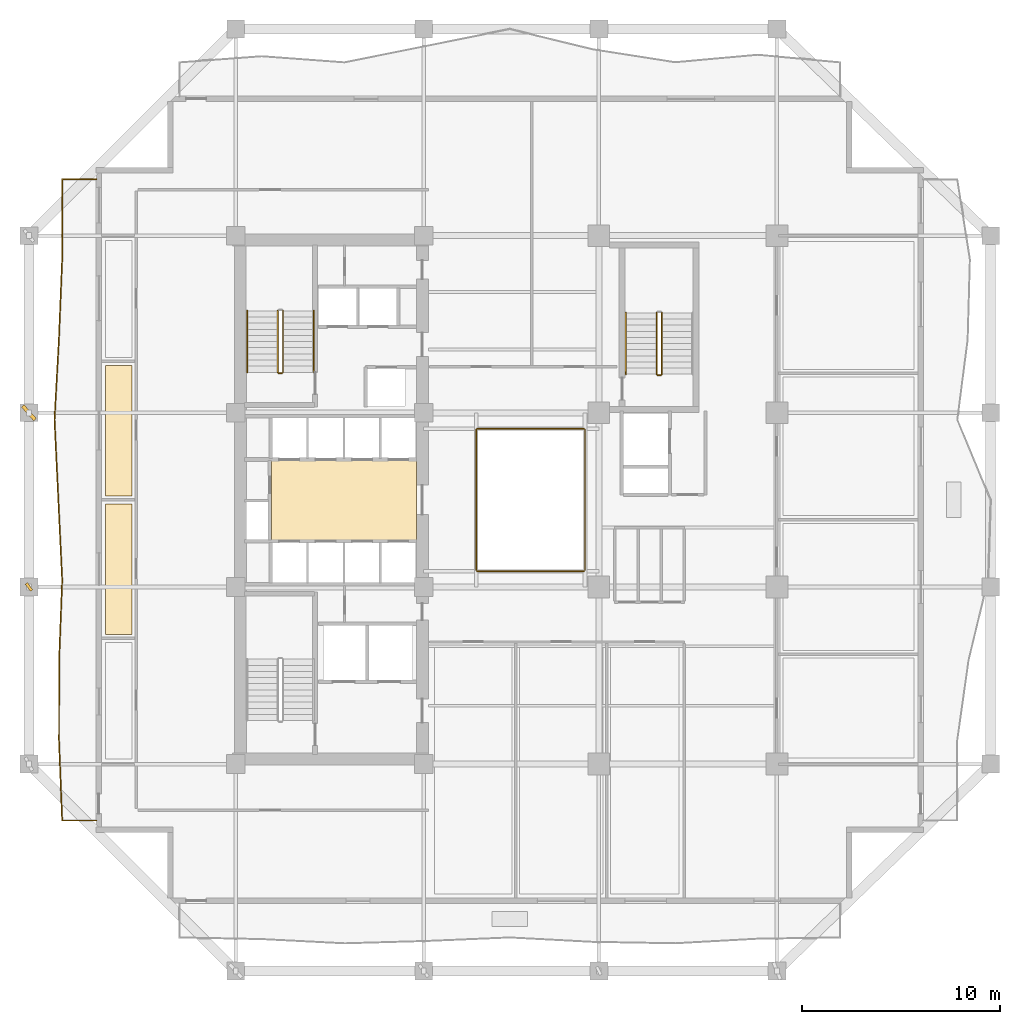
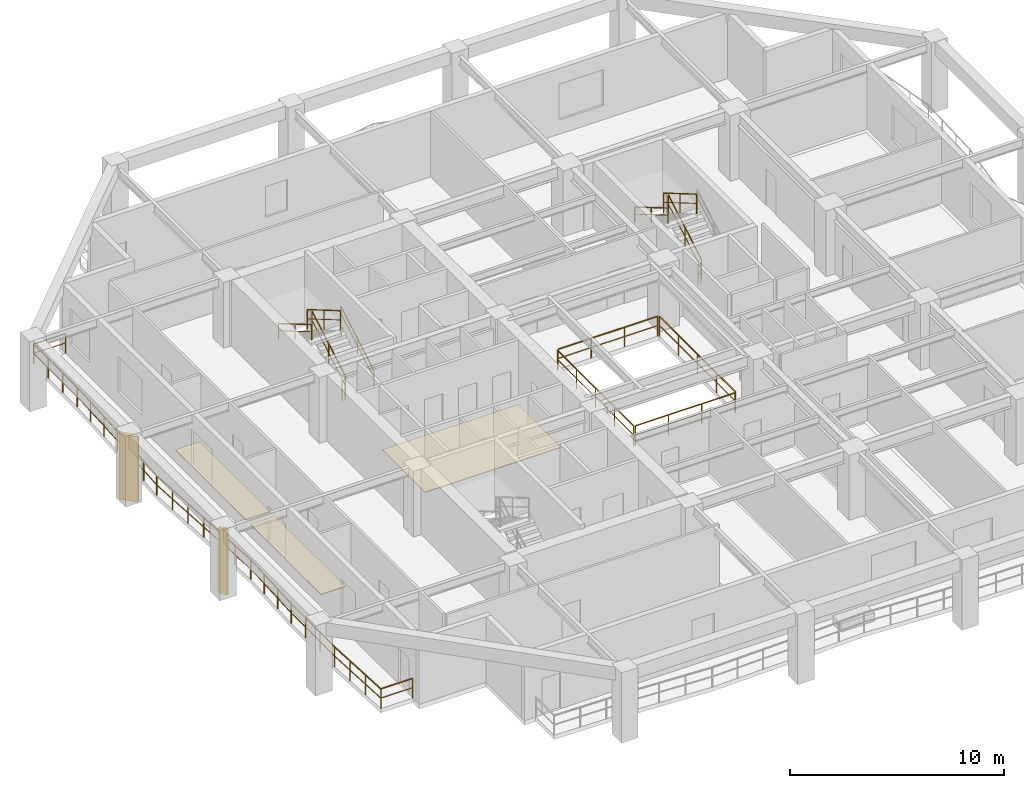
# One storey, part 8 of 11: 14 railings, 3 coverings, 2 shading devices.
"""IFC4 building model written with IfcOpenShell, lengths in metres."""

from ifc_helpers import new_model, si_unit, direction, frame, origin, origin_2d, place, context, subcontext, project, spatial, polyline, rectangle, outline, extrude, material, layer, layer_set, type_object, element, save


model = new_model("IFC4")

# Units and contexts
model_context = context("Model", 3, precision=1e-05, world=origin(), true_north=direction((0.0, 1.0)))
body_context = subcontext(model_context, "Body", "Model", "MODEL_VIEW")
ifc_project = project(units=[si_unit("LENGTHUNIT", "METRE"), si_unit("AREAUNIT", "SQUARE_METRE"), si_unit("VOLUMEUNIT", "CUBIC_METRE"), si_unit("PLANEANGLEUNIT", "RADIAN"), si_unit("MASSUNIT", "GRAM", prefix="KILO")], contexts=[model_context])

# Site, building, storey
site_placement = place(None, origin())
site = spatial("IfcSite", under=ifc_project, at=site_placement, CompositionType="ELEMENT")
building_placement = place(site_placement, origin())
building = spatial("IfcBuilding", under=site, at=building_placement, Name="Kundavana Baori Tower", CompositionType="ELEMENT")
storey_placement = place(building_placement, frame((0.0, 0.0, 86.0)))
storey = spatial("IfcBuildingStorey", under=building, at=storey_placement, Name="L20", CompositionType="ELEMENT", Elevation=86.0)

# Coverings
ifc_material_1 = material(Name="Honed Kota Stone and Terrazzo Flooring", Category="masonry")
ifc_layer_1 = layer(ifc_material_1, 0.0400390625, Name="COV-FLR-TERR-40")
ifc_layer_set_1 = layer_set([ifc_layer_1], Name="Honed Kota Stone and Terrazzo Flooring")
covering_type_1 = type_object("IfcCoveringType", Name="COV-FLR-TERR-40", PredefinedType="FLOORING", material=ifc_layer_set_1)
covering_1_placement = place(storey_placement, origin())
element("IfcCovering", 1, at=covering_1_placement, inside=storey, type_object=covering_type_1, Name="L20 Room Finished Stone Flooring 2", PredefinedType="FLOORING", context=body_context, shape_type="SweptSolid", body=[
    extrude(outline(polyline([(8.8798828125, 21.800048828125), (10.199951171875, 21.800048828125), (10.199951171875, 28.39990234375), (8.8798828125, 28.39990234375), (8.8798828125, 21.800048828125)])), origin(), (0.0, 0.0, 1.0), 0.0400390625),
])
covering_2_placement = place(storey_placement, origin())
element("IfcCovering", 2, at=covering_2_placement, inside=storey, type_object=covering_type_1, Name="L20 Room Finished Stone Flooring 3", PredefinedType="FLOORING", context=body_context, shape_type="SweptSolid", body=[
    extrude(outline(polyline([(8.8798828125, 28.800048828125), (10.199951171875, 28.800048828125), (10.199951171875, 35.39990234375), (8.8798828125, 35.39990234375), (8.8798828125, 28.800048828125)])), origin(), (0.0, 0.0, 1.0), 0.0400390625),
])
ifc_material_2 = material(Name="Honed Kota Stone and Terrazzo Flooring", Category="masonry")
ifc_layer_2 = layer(ifc_material_2, 0.030029296875, Name="COV-INT-FLR")
ifc_layer_set_2 = layer_set([ifc_layer_2], Name="Honed Kota Stone and Terrazzo Flooring")
covering_type_2 = type_object("IfcCoveringType", Name="COV-INT-FLR", PredefinedType="FLOORING", material=ifc_layer_set_2)
covering_3_placement = place(storey_placement, origin())
element("IfcCovering", 3, at=covering_3_placement, inside=storey, type_object=covering_type_2, Name="L20 Core Lift Lobby Kota Stone Flooring", PredefinedType="FLOORING", context=body_context, shape_type="SweptSolid", body=[
    extrude(outline(polyline([(17.25, 26.580078125), (24.580078125, 26.580078125), (24.580078125, 30.60009765625), (17.25, 30.60009765625), (17.25, 26.580078125)])), origin(), (0.0, 0.0, 1.0), 0.030029296875),
])

# Railings
ifc_material_3 = material(Name="Architectural Patinated Bronze Metalwork")
railing_type_1 = type_object("IfcRailingType", Name="RL-BAL-1150", PredefinedType="BALUSTRADE", material=ifc_material_3)
railing_1_placement = place(storey_placement, frame((8.39990234375, 12.39990234375, 0.0)))
element("IfcRailing", 4, at=railing_1_placement, inside=storey, type_object=railing_type_1, Name="L20 Loggia Balcony Balustrade W", PredefinedType="BALUSTRADE", context=body_context, shape_type="SweptSolid", body=[
    extrude(rectangle(XDim=0.048095703125, YDim=0.048095703125, at=origin_2d()), frame((0.0, 0.0, 1.1259765625), z_axis=(-1.0, 0.0, 0.0), x_axis=(0.0, -1.0, 0.0)), (0.0, 0.0, 1.0), 1.719970703125),
    extrude(rectangle(XDim=0.03125, YDim=0.03125, at=origin_2d()), frame((0.0, 0.0, 0.597900390625), z_axis=(-1.0, 0.0, 0.0), x_axis=(0.0, -1.0, 0.0)), (0.0, 0.0, 1.0), 1.719970703125),
    extrude(rectangle(XDim=0.048095703125, YDim=0.048095703125, at=origin_2d()), frame((-1.719970703125, 0.0, 1.1259765625), z_axis=(-0.039693811296, 0.999211890114, 0.0), x_axis=(-0.999211890114, -0.039693811296, 0.0)), (0.0, 0.0, 1.0), 4.05322265625),
    extrude(rectangle(XDim=0.03125, YDim=0.03125, at=origin_2d()), frame((-1.719970703125, 0.0, 0.597900390625), z_axis=(-0.039693811296, 0.999211890114, 0.0), x_axis=(-0.999211890114, -0.039693811296, 0.0)), (0.0, 0.0, 1.0), 4.05322265625),
    extrude(rectangle(XDim=0.048095703125, YDim=0.048095703125, at=origin_2d()), frame((-1.880859375, 4.050048828125, 1.1259765625), z_axis=(0.001687863049, 0.999998575558, 0.0), x_axis=(-0.999998575558, 0.001687863049, 0.0)), (0.0, 0.0, 1.0), 4.050048828125),
    extrude(rectangle(XDim=0.03125, YDim=0.03125, at=origin_2d()), frame((-1.880859375, 4.050048828125, 0.597900390625), z_axis=(0.001687863049, 0.999998575558, 0.0), x_axis=(-0.999998575558, 0.001687863049, 0.0)), (0.0, 0.0, 1.0), 4.050048828125),
    extrude(rectangle(XDim=0.048095703125, YDim=0.048095703125, at=origin_2d()), frame((-1.8740234375, 8.10009765625, 1.1259765625), z_axis=(0.038009766655, 0.999277367721, 0.0), x_axis=(-0.999277367721, 0.038009766655, 0.0)), (0.0, 0.0, 1.0), 4.052978515625),
    extrude(rectangle(XDim=0.03125, YDim=0.03125, at=origin_2d()), frame((-1.8740234375, 8.10009765625, 0.597900390625), z_axis=(0.038009766655, 0.999277367721, 0.0), x_axis=(-0.999277367721, 0.038009766655, 0.0)), (0.0, 0.0, 1.0), 4.052978515625),
    extrude(rectangle(XDim=0.048095703125, YDim=0.048095703125, at=origin_2d()), frame((-1.719970703125, 12.150146484375, 1.1259765625), z_axis=(-0.04780831177, 0.9988565289, 0.0), x_axis=(-0.9988565289, -0.04780831177, 0.0)), (0.0, 0.0, 1.0), 4.0546875),
    extrude(rectangle(XDim=0.03125, YDim=0.03125, at=origin_2d()), frame((-1.719970703125, 12.150146484375, 0.597900390625), z_axis=(-0.04780831177, 0.9988565289, 0.0), x_axis=(-0.9988565289, -0.04780831177, 0.0)), (0.0, 0.0, 1.0), 4.0546875),
    extrude(rectangle(XDim=0.048095703125, YDim=0.048095703125, at=origin_2d()), frame((-1.913818359375, 16.2001953125, 1.1259765625), z_axis=(-0.047630951091, 0.998865002139, 0.0), x_axis=(-0.998865002139, -0.047630951091, 0.0)), (0.0, 0.0, 1.0), 4.054443359375),
    extrude(rectangle(XDim=0.03125, YDim=0.03125, at=origin_2d()), frame((-1.913818359375, 16.2001953125, 0.597900390625), z_axis=(-0.047630951091, 0.998865002139, 0.0), x_axis=(-0.998865002139, -0.047630951091, 0.0)), (0.0, 0.0, 1.0), 4.054443359375),
    extrude(rectangle(XDim=0.048095703125, YDim=0.048095703125, at=origin_2d()), frame((-2.10693359375, 20.25, 1.1259765625), z_axis=(0.0544732223, 0.998515231758, 0.0), x_axis=(-0.998515231758, 0.0544732223, 0.0)), (0.0, 0.0, 1.0), 4.05615234375),
    extrude(rectangle(XDim=0.03125, YDim=0.03125, at=origin_2d()), frame((-2.10693359375, 20.25, 0.597900390625), z_axis=(0.0544732223, 0.998515231758, 0.0), x_axis=(-0.998515231758, 0.0544732223, 0.0)), (0.0, 0.0, 1.0), 4.05615234375),
    extrude(rectangle(XDim=0.048095703125, YDim=0.048095703125, at=origin_2d()), frame((-1.885986328125, 24.300048828125, 1.1259765625), z_axis=(0.040716102889, 0.99917075566, 0.0), x_axis=(-0.99917075566, 0.040716102889, 0.0)), (0.0, 0.0, 1.0), 4.053466796875),
    extrude(rectangle(XDim=0.03125, YDim=0.03125, at=origin_2d()), frame((-1.885986328125, 24.300048828125, 0.597900390625), z_axis=(0.040716102889, 0.99917075566, 0.0), x_axis=(-0.99917075566, 0.040716102889, 0.0)), (0.0, 0.0, 1.0), 4.053466796875),
    extrude(rectangle(XDim=0.048095703125, YDim=0.048095703125, at=origin_2d()), frame((-1.720947265625, 28.35009765625, 1.1259765625), z_axis=(0.000241123629, 0.99999997093, 0.0), x_axis=(-0.99999997093, 0.000241123629, 0.0)), (0.0, 0.0, 1.0), 4.050048828125),
    extrude(rectangle(XDim=0.03125, YDim=0.03125, at=origin_2d()), frame((-1.720947265625, 28.35009765625, 0.597900390625), z_axis=(0.000241123629, 0.99999997093, 0.0), x_axis=(-0.99999997093, 0.000241123629, 0.0)), (0.0, 0.0, 1.0), 4.050048828125),
    extrude(rectangle(XDim=0.048095703125, YDim=0.048095703125, at=origin_2d()), frame((-1.719970703125, 32.400146484375, 1.1259765625), z_axis=(1.0, 0.0, 0.0), x_axis=(0.0, 1.0, 0.0)), (0.0, 0.0, 1.0), 1.719970703125),
    extrude(rectangle(XDim=0.03125, YDim=0.03125, at=origin_2d()), frame((-1.719970703125, 32.400146484375, 0.597900390625), z_axis=(1.0, 0.0, 0.0), x_axis=(0.0, 1.0, 0.0)), (0.0, 0.0, 1.0), 1.719970703125),
    extrude(rectangle(XDim=0.0419921875, YDim=0.0419921875, at=origin_2d()), origin(), (0.0, 0.0, 1.0), 1.101806640625),
    extrude(rectangle(XDim=0.0419921875, YDim=0.0419921875, at=origin_2d()), frame((-1.719970703125, 0.0, 0.0)), (0.0, 0.0, 1.0), 1.101806640625),
    extrude(rectangle(XDim=0.0419921875, YDim=0.0419921875, at=origin_2d()), frame((-1.773681640625, 1.35009765625, 0.0)), (0.0, 0.0, 1.0), 1.101806640625),
    extrude(rectangle(XDim=0.0419921875, YDim=0.0419921875, at=origin_2d()), frame((-1.8271484375, 2.699951171875, 0.0)), (0.0, 0.0, 1.0), 1.101806640625),
    extrude(rectangle(XDim=0.0419921875, YDim=0.0419921875, at=origin_2d()), frame((-1.880859375, 4.050048828125, 0.0)), (0.0, 0.0, 1.0), 1.101806640625),
    extrude(rectangle(XDim=0.0419921875, YDim=0.0419921875, at=origin_2d()), frame((-1.878662109375, 5.400146484375, 0.0)), (0.0, 0.0, 1.0), 1.101806640625),
    extrude(rectangle(XDim=0.0419921875, YDim=0.0419921875, at=origin_2d()), frame((-1.876220703125, 6.75, 0.0)), (0.0, 0.0, 1.0), 1.101806640625),
    extrude(rectangle(XDim=0.0419921875, YDim=0.0419921875, at=origin_2d()), frame((-1.8740234375, 8.10009765625, 0.0)), (0.0, 0.0, 1.0), 1.101806640625),
    extrude(rectangle(XDim=0.0419921875, YDim=0.0419921875, at=origin_2d()), frame((-1.82275390625, 9.4501953125, 0.0)), (0.0, 0.0, 1.0), 1.101806640625),
    extrude(rectangle(XDim=0.0419921875, YDim=0.0419921875, at=origin_2d()), frame((-1.771240234375, 10.800048828125, 0.0)), (0.0, 0.0, 1.0), 1.101806640625),
    extrude(rectangle(XDim=0.0419921875, YDim=0.0419921875, at=origin_2d()), frame((-1.719970703125, 12.150146484375, 0.0)), (0.0, 0.0, 1.0), 1.101806640625),
    extrude(rectangle(XDim=0.0419921875, YDim=0.0419921875, at=origin_2d()), frame((-1.78466796875, 13.500244140625, 0.0)), (0.0, 0.0, 1.0), 1.101806640625),
    extrude(rectangle(XDim=0.0419921875, YDim=0.0419921875, at=origin_2d()), frame((-1.84912109375, 14.85009765625, 0.0)), (0.0, 0.0, 1.0), 1.101806640625),
    extrude(rectangle(XDim=0.0419921875, YDim=0.0419921875, at=origin_2d()), frame((-1.913818359375, 16.2001953125, 0.0)), (0.0, 0.0, 1.0), 1.101806640625),
    extrude(rectangle(XDim=0.0419921875, YDim=0.0419921875, at=origin_2d()), frame((-1.978271484375, 17.550048828125, 0.0)), (0.0, 0.0, 1.0), 1.101806640625),
    extrude(rectangle(XDim=0.0419921875, YDim=0.0419921875, at=origin_2d()), frame((-2.04248046875, 18.900146484375, 0.0)), (0.0, 0.0, 1.0), 1.101806640625),
    extrude(rectangle(XDim=0.0419921875, YDim=0.0419921875, at=origin_2d()), frame((-2.10693359375, 20.25, 0.0)), (0.0, 0.0, 1.0), 1.101806640625),
    extrude(rectangle(XDim=0.0419921875, YDim=0.0419921875, at=origin_2d()), frame((-2.033203125, 21.60009765625, 0.0)), (0.0, 0.0, 1.0), 1.101806640625),
    extrude(rectangle(XDim=0.0419921875, YDim=0.0419921875, at=origin_2d()), frame((-1.959716796875, 22.949951171875, 0.0)), (0.0, 0.0, 1.0), 1.101806640625),
    extrude(rectangle(XDim=0.0419921875, YDim=0.0419921875, at=origin_2d()), frame((-1.885986328125, 24.300048828125, 0.0)), (0.0, 0.0, 1.0), 1.101806640625),
    extrude(rectangle(XDim=0.0419921875, YDim=0.0419921875, at=origin_2d()), frame((-1.8310546875, 25.650146484375, 0.0)), (0.0, 0.0, 1.0), 1.101806640625),
    extrude(rectangle(XDim=0.0419921875, YDim=0.0419921875, at=origin_2d()), frame((-1.77587890625, 27.0, 0.0)), (0.0, 0.0, 1.0), 1.101806640625),
    extrude(rectangle(XDim=0.0419921875, YDim=0.0419921875, at=origin_2d()), frame((-1.720947265625, 28.35009765625, 0.0)), (0.0, 0.0, 1.0), 1.101806640625),
    extrude(rectangle(XDim=0.0419921875, YDim=0.0419921875, at=origin_2d()), frame((-1.720703125, 29.7001953125, 0.0)), (0.0, 0.0, 1.0), 1.101806640625),
    extrude(rectangle(XDim=0.0419921875, YDim=0.0419921875, at=origin_2d()), frame((-1.72021484375, 31.050048828125, 0.0)), (0.0, 0.0, 1.0), 1.101806640625),
    extrude(rectangle(XDim=0.0419921875, YDim=0.0419921875, at=origin_2d()), frame((-1.719970703125, 32.400146484375, 0.0)), (0.0, 0.0, 1.0), 1.101806640625),
    extrude(rectangle(XDim=0.0419921875, YDim=0.0419921875, at=origin_2d()), frame((0.0, 32.400146484375, 0.0)), (0.0, 0.0, 1.0), 1.101806640625),
])
ifc_material_4 = material(Name="Architectural Patinated Bronze Metalwork")
railing_type_2 = type_object("IfcRailingType", Name="RL-GRD-1150", PredefinedType="GUARDRAIL", material=ifc_material_4)
railing_2_placement = place(storey_placement, frame((17.840087890625, 35.050048828125, 0.181884765625)))
element("IfcRailing", 5, at=railing_2_placement, inside=storey, type_object=railing_type_2, Name="L20 ST2 stair guard 1", PredefinedType="GUARDRAIL", context=body_context, shape_type="SweptSolid", body=[
    extrude(rectangle(XDim=0.048095703125, YDim=0.048095703125, at=origin_2d()), frame((0.0, 0.0, 1.1259765625), z_axis=(0.0, 0.86258143422, 0.50591824373), x_axis=(-1.0, 0.0, 0.0)), (0.0, 0.0, 1.0), 3.59375),
    extrude(rectangle(XDim=0.03125, YDim=0.03125, at=origin_2d()), frame((0.0, 0.0, 0.597900390625), z_axis=(0.0, 0.86258143422, 0.50591824373), x_axis=(-1.0, 0.0, 0.0)), (0.0, 0.0, 1.0), 3.59375),
    extrude(rectangle(XDim=0.0419921875, YDim=0.0419921875, at=origin_2d()), origin(), (0.0, 0.0, 1.0), 1.101806640625),
    extrude(rectangle(XDim=0.0419921875, YDim=0.0419921875, at=origin_2d()), frame((0.0, 1.5498046875, 0.9091796875)), (0.0, 0.0, 1.0), 1.101806640625),
    extrude(rectangle(XDim=0.0419921875, YDim=0.0419921875, at=origin_2d()), frame((0.0, 3.099853515625, 1.818115234375)), (0.0, 0.0, 1.0), 1.101806640625),
])
railing_3_placement = place(storey_placement, frame((17.580078125, 38.14990234375, 2.181884765625)))
element("IfcRailing", 6, at=railing_3_placement, inside=storey, type_object=railing_type_2, Name="L20 ST2 stair guard 3", PredefinedType="GUARDRAIL", context=body_context, shape_type="SweptSolid", body=[
    extrude(rectangle(XDim=0.048095703125, YDim=0.048095703125, at=origin_2d()), frame((0.0, 0.0, 1.1259765625), z_axis=(0.0, -0.86258143422, 0.50591824373), x_axis=(1.0, 0.0, 0.0)), (0.0, 0.0, 1.0), 3.59375),
    extrude(rectangle(XDim=0.03125, YDim=0.03125, at=origin_2d()), frame((0.0, 0.0, 0.597900390625), z_axis=(0.0, -0.86258143422, 0.50591824373), x_axis=(1.0, 0.0, 0.0)), (0.0, 0.0, 1.0), 3.59375),
    extrude(rectangle(XDim=0.0419921875, YDim=0.0419921875, at=origin_2d()), origin(), (0.0, 0.0, 1.0), 1.101806640625),
    extrude(rectangle(XDim=0.0419921875, YDim=0.0419921875, at=origin_2d()), frame((0.0, -1.5498046875, 0.9091796875)), (0.0, 0.0, 1.0), 1.101806640625),
    extrude(rectangle(XDim=0.0419921875, YDim=0.0419921875, at=origin_2d()), frame((0.0, -3.099853515625, 1.818115234375)), (0.0, 0.0, 1.0), 1.101806640625),
])
railing_4_placement = place(storey_placement, frame((17.7900390625, 35.0, 0.0)))
element("IfcRailing", 7, at=railing_4_placement, inside=storey, type_object=railing_type_2, Name="L20 ST2 stair guard 4", PredefinedType="GUARDRAIL", context=body_context, shape_type="SweptSolid", body=[
    extrude(rectangle(XDim=0.048095703125, YDim=0.048095703125, at=origin_2d()), frame((0.0, 0.0, 1.1259765625), z_axis=(-1.0, 0.0, 0.0), x_axis=(0.0, -1.0, 0.0)), (0.0, 0.0, 1.0), 0.16015625),
    extrude(rectangle(XDim=0.03125, YDim=0.03125, at=origin_2d()), frame((0.0, 0.0, 0.597900390625), z_axis=(-1.0, 0.0, 0.0), x_axis=(0.0, -1.0, 0.0)), (0.0, 0.0, 1.0), 0.16015625),
    extrude(rectangle(XDim=0.0419921875, YDim=0.0419921875, at=origin_2d()), origin(), (0.0, 0.0, 1.0), 1.101806640625),
    extrude(rectangle(XDim=0.0419921875, YDim=0.0419921875, at=origin_2d()), frame((-0.16015625, 0.0, 0.0)), (0.0, 0.0, 1.0), 1.101806640625),
])
railing_5_placement = place(storey_placement, frame((36.97998046875, 34.949951171875, 0.181884765625)))
element("IfcRailing", 8, at=railing_5_placement, inside=storey, type_object=railing_type_2, Name="L20 ST3 stair guard 1", PredefinedType="GUARDRAIL", context=body_context, shape_type="SweptSolid", body=[
    extrude(rectangle(XDim=0.048095703125, YDim=0.048095703125, at=origin_2d()), frame((0.0, 0.0, 1.1259765625), z_axis=(0.0, 0.862598821094, 0.505888598258), x_axis=(-1.0, 0.0, 0.0)), (0.0, 0.0, 1.0), 3.593994140625),
    extrude(rectangle(XDim=0.03125, YDim=0.03125, at=origin_2d()), frame((0.0, 0.0, 0.597900390625), z_axis=(0.0, 0.862598821094, 0.505888598258), x_axis=(-1.0, 0.0, 0.0)), (0.0, 0.0, 1.0), 3.593994140625),
    extrude(rectangle(XDim=0.0419921875, YDim=0.0419921875, at=origin_2d()), origin(), (0.0, 0.0, 1.0), 1.101806640625),
    extrude(rectangle(XDim=0.0419921875, YDim=0.0419921875, at=origin_2d()), frame((0.0, 1.550048828125, 0.9091796875)), (0.0, 0.0, 1.0), 1.101806640625),
    extrude(rectangle(XDim=0.0419921875, YDim=0.0419921875, at=origin_2d()), frame((0.0, 3.10009765625, 1.818115234375)), (0.0, 0.0, 1.0), 1.101806640625),
])
railing_6_placement = place(storey_placement, frame((36.719970703125, 38.050048828125, 2.181884765625)))
element("IfcRailing", 9, at=railing_6_placement, inside=storey, type_object=railing_type_2, Name="L20 ST3 stair guard 3", PredefinedType="GUARDRAIL", context=body_context, shape_type="SweptSolid", body=[
    extrude(rectangle(XDim=0.048095703125, YDim=0.048095703125, at=origin_2d()), frame((0.0, 0.0, 1.1259765625), z_axis=(0.0, -0.862598821094, 0.505888598258), x_axis=(1.0, 0.0, 0.0)), (0.0, 0.0, 1.0), 3.593994140625),
    extrude(rectangle(XDim=0.03125, YDim=0.03125, at=origin_2d()), frame((0.0, 0.0, 0.597900390625), z_axis=(0.0, -0.862598821094, 0.505888598258), x_axis=(1.0, 0.0, 0.0)), (0.0, 0.0, 1.0), 3.593994140625),
    extrude(rectangle(XDim=0.0419921875, YDim=0.0419921875, at=origin_2d()), origin(), (0.0, 0.0, 1.0), 1.101806640625),
    extrude(rectangle(XDim=0.0419921875, YDim=0.0419921875, at=origin_2d()), frame((0.0, -1.550048828125, 0.9091796875)), (0.0, 0.0, 1.0), 1.101806640625),
    extrude(rectangle(XDim=0.0419921875, YDim=0.0419921875, at=origin_2d()), frame((0.0, -3.10009765625, 1.818115234375)), (0.0, 0.0, 1.0), 1.101806640625),
])
railing_7_placement = place(storey_placement, frame((36.929931640625, 34.89990234375, 0.0)))
element("IfcRailing", 10, at=railing_7_placement, inside=storey, type_object=railing_type_2, Name="L20 ST3 stair guard 4", PredefinedType="GUARDRAIL", context=body_context, shape_type="SweptSolid", body=[
    extrude(rectangle(XDim=0.048095703125, YDim=0.048095703125, at=origin_2d()), frame((0.0, 0.0, 1.1259765625), z_axis=(-1.0, 0.0, 0.0), x_axis=(0.0, -1.0, 0.0)), (0.0, 0.0, 1.0), 0.159912109375),
    extrude(rectangle(XDim=0.03125, YDim=0.03125, at=origin_2d()), frame((0.0, 0.0, 0.597900390625), z_axis=(-1.0, 0.0, 0.0), x_axis=(0.0, -1.0, 0.0)), (0.0, 0.0, 1.0), 0.159912109375),
    extrude(rectangle(XDim=0.0419921875, YDim=0.0419921875, at=origin_2d()), origin(), (0.0, 0.0, 1.0), 1.101806640625),
    extrude(rectangle(XDim=0.0419921875, YDim=0.0419921875, at=origin_2d()), frame((-0.159912109375, 0.0, 0.0)), (0.0, 0.0, 1.0), 1.101806640625),
])
railing_8_placement = place(storey_placement, frame((27.659912109375, 25.0, 0.0)))
element("IfcRailing", 11, at=railing_8_placement, inside=storey, type_object=railing_type_2, Name="L20 Atrium Void Perimeter Guardrail S", PredefinedType="GUARDRAIL", context=body_context, shape_type="SweptSolid", body=[
    extrude(rectangle(XDim=0.048095703125, YDim=0.048095703125, at=origin_2d()), frame((0.0, 0.0, 1.1259765625), z_axis=(1.0, 0.0, 0.0), x_axis=(0.0, 1.0, 0.0)), (0.0, 0.0, 1.0), 5.380126953125),
    extrude(rectangle(XDim=0.03125, YDim=0.03125, at=origin_2d()), frame((0.0, 0.0, 0.597900390625), z_axis=(1.0, 0.0, 0.0), x_axis=(0.0, 1.0, 0.0)), (0.0, 0.0, 1.0), 5.380126953125),
    extrude(rectangle(XDim=0.0419921875, YDim=0.0419921875, at=origin_2d()), origin(), (0.0, 0.0, 1.0), 1.101806640625),
    extrude(rectangle(XDim=0.0419921875, YDim=0.0419921875, at=origin_2d()), frame((1.79345703125, 0.0, 0.0)), (0.0, 0.0, 1.0), 1.101806640625),
    extrude(rectangle(XDim=0.0419921875, YDim=0.0419921875, at=origin_2d()), frame((3.586669921875, 0.0, 0.0)), (0.0, 0.0, 1.0), 1.101806640625),
    extrude(rectangle(XDim=0.0419921875, YDim=0.0419921875, at=origin_2d()), frame((5.380126953125, 0.0, 0.0)), (0.0, 0.0, 1.0), 1.101806640625),
])
railing_9_placement = place(storey_placement, frame((33.10009765625, 25.06005859375, 0.0)))
element("IfcRailing", 12, at=railing_9_placement, inside=storey, type_object=railing_type_2, Name="L20 Atrium Void Perimeter Guardrail E", PredefinedType="GUARDRAIL", context=body_context, shape_type="SweptSolid", body=[
    extrude(rectangle(XDim=0.048095703125, YDim=0.048095703125, at=origin_2d()), frame((0.0, 0.0, 1.1259765625), z_axis=(0.0, 1.0, 0.0), x_axis=(-1.0, 0.0, 0.0)), (0.0, 0.0, 1.0), 7.079833984375),
    extrude(rectangle(XDim=0.03125, YDim=0.03125, at=origin_2d()), frame((0.0, 0.0, 0.597900390625), z_axis=(0.0, 1.0, 0.0), x_axis=(-1.0, 0.0, 0.0)), (0.0, 0.0, 1.0), 7.079833984375),
    extrude(rectangle(XDim=0.0419921875, YDim=0.0419921875, at=origin_2d()), origin(), (0.0, 0.0, 1.0), 1.101806640625),
    extrude(rectangle(XDim=0.0419921875, YDim=0.0419921875, at=origin_2d()), frame((0.0, 1.77001953125, 0.0)), (0.0, 0.0, 1.0), 1.101806640625),
    extrude(rectangle(XDim=0.0419921875, YDim=0.0419921875, at=origin_2d()), frame((0.0, 3.5400390625, 0.0)), (0.0, 0.0, 1.0), 1.101806640625),
    extrude(rectangle(XDim=0.0419921875, YDim=0.0419921875, at=origin_2d()), frame((0.0, 5.309814453125, 0.0)), (0.0, 0.0, 1.0), 1.101806640625),
    extrude(rectangle(XDim=0.0419921875, YDim=0.0419921875, at=origin_2d()), frame((0.0, 7.079833984375, 0.0)), (0.0, 0.0, 1.0), 1.101806640625),
])
railing_10_placement = place(storey_placement, frame((33.0400390625, 32.199951171875, 0.0)))
element("IfcRailing", 13, at=railing_10_placement, inside=storey, type_object=railing_type_2, Name="L20 Atrium Void Perimeter Guardrail N", PredefinedType="GUARDRAIL", context=body_context, shape_type="SweptSolid", body=[
    extrude(rectangle(XDim=0.048095703125, YDim=0.048095703125, at=origin_2d()), frame((0.0, 0.0, 1.1259765625), z_axis=(-1.0, 0.0, 0.0), x_axis=(0.0, -1.0, 0.0)), (0.0, 0.0, 1.0), 5.380126953125),
    extrude(rectangle(XDim=0.03125, YDim=0.03125, at=origin_2d()), frame((0.0, 0.0, 0.597900390625), z_axis=(-1.0, 0.0, 0.0), x_axis=(0.0, -1.0, 0.0)), (0.0, 0.0, 1.0), 5.380126953125),
    extrude(rectangle(XDim=0.0419921875, YDim=0.0419921875, at=origin_2d()), origin(), (0.0, 0.0, 1.0), 1.101806640625),
    extrude(rectangle(XDim=0.0419921875, YDim=0.0419921875, at=origin_2d()), frame((-1.79345703125, 0.0, 0.0)), (0.0, 0.0, 1.0), 1.101806640625),
    extrude(rectangle(XDim=0.0419921875, YDim=0.0419921875, at=origin_2d()), frame((-3.586669921875, 0.0, 0.0)), (0.0, 0.0, 1.0), 1.101806640625),
    extrude(rectangle(XDim=0.0419921875, YDim=0.0419921875, at=origin_2d()), frame((-5.380126953125, 0.0, 0.0)), (0.0, 0.0, 1.0), 1.101806640625),
])
railing_11_placement = place(storey_placement, frame((27.60009765625, 32.139892578125, 0.0)))
element("IfcRailing", 14, at=railing_11_placement, inside=storey, type_object=railing_type_2, Name="L20 Atrium Void Perimeter Guardrail W", PredefinedType="GUARDRAIL", context=body_context, shape_type="SweptSolid", body=[
    extrude(rectangle(XDim=0.048095703125, YDim=0.048095703125, at=origin_2d()), frame((0.0, 0.0, 1.1259765625), z_axis=(0.0, -1.0, 0.0), x_axis=(1.0, 0.0, 0.0)), (0.0, 0.0, 1.0), 7.079833984375),
    extrude(rectangle(XDim=0.03125, YDim=0.03125, at=origin_2d()), frame((0.0, 0.0, 0.597900390625), z_axis=(0.0, -1.0, 0.0), x_axis=(1.0, 0.0, 0.0)), (0.0, 0.0, 1.0), 7.079833984375),
    extrude(rectangle(XDim=0.0419921875, YDim=0.0419921875, at=origin_2d()), origin(), (0.0, 0.0, 1.0), 1.101806640625),
    extrude(rectangle(XDim=0.0419921875, YDim=0.0419921875, at=origin_2d()), frame((0.0, -1.77001953125, 0.0)), (0.0, 0.0, 1.0), 1.101806640625),
    extrude(rectangle(XDim=0.0419921875, YDim=0.0419921875, at=origin_2d()), frame((0.0, -3.5400390625, 0.0)), (0.0, 0.0, 1.0), 1.101806640625),
    extrude(rectangle(XDim=0.0419921875, YDim=0.0419921875, at=origin_2d()), frame((0.0, -5.309814453125, 0.0)), (0.0, 0.0, 1.0), 1.101806640625),
    extrude(rectangle(XDim=0.0419921875, YDim=0.0419921875, at=origin_2d()), frame((0.0, -7.079833984375, 0.0)), (0.0, 0.0, 1.0), 1.101806640625),
])
ifc_material_5 = material(Name="Architectural Patinated Bronze Metalwork")
railing_type_3 = type_object("IfcRailingType", Name="RL-HND-920", PredefinedType="HANDRAIL", material=ifc_material_5)
railing_12_placement = place(storey_placement, frame((19.389892578125, 35.050048828125, 0.181884765625)))
element("IfcRailing", 15, at=railing_12_placement, inside=storey, type_object=railing_type_3, Name="L20 ST2 stair handrail 1", PredefinedType="HANDRAIL", context=body_context, shape_type="SweptSolid", body=[
    extrude(rectangle(XDim=0.048095703125, YDim=0.048095703125, at=origin_2d()), frame((0.0, 0.0, 0.8759765625), z_axis=(0.0, 0.86258143422, 0.50591824373), x_axis=(-1.0, 0.0, 0.0)), (0.0, 0.0, 1.0), 3.59375),
    extrude(rectangle(XDim=0.03125, YDim=0.03125, at=origin_2d()), frame((0.0, 0.0, 0.468017578125), z_axis=(0.0, 0.86258143422, 0.50591824373), x_axis=(-1.0, 0.0, 0.0)), (0.0, 0.0, 1.0), 3.59375),
    extrude(rectangle(XDim=0.0419921875, YDim=0.0419921875, at=origin_2d()), origin(), (0.0, 0.0, 1.0), 0.851806640625),
    extrude(rectangle(XDim=0.0419921875, YDim=0.0419921875, at=origin_2d()), frame((0.0, 1.5498046875, 0.9091796875)), (0.0, 0.0, 1.0), 0.851806640625),
    extrude(rectangle(XDim=0.0419921875, YDim=0.0419921875, at=origin_2d()), frame((0.0, 3.099853515625, 1.818115234375)), (0.0, 0.0, 1.0), 0.851806640625),
])
railing_13_placement = place(storey_placement, frame((16.030029296875, 38.14990234375, 2.181884765625)))
element("IfcRailing", 16, at=railing_13_placement, inside=storey, type_object=railing_type_3, Name="L20 ST2 stair handrail 2", PredefinedType="HANDRAIL", context=body_context, shape_type="SweptSolid", body=[
    extrude(rectangle(XDim=0.048095703125, YDim=0.048095703125, at=origin_2d()), frame((0.0, 0.0, 0.8759765625), z_axis=(0.0, -0.86258143422, 0.50591824373), x_axis=(1.0, 0.0, 0.0)), (0.0, 0.0, 1.0), 3.59375),
    extrude(rectangle(XDim=0.03125, YDim=0.03125, at=origin_2d()), frame((0.0, 0.0, 0.468017578125), z_axis=(0.0, -0.86258143422, 0.50591824373), x_axis=(1.0, 0.0, 0.0)), (0.0, 0.0, 1.0), 3.59375),
    extrude(rectangle(XDim=0.0419921875, YDim=0.0419921875, at=origin_2d()), origin(), (0.0, 0.0, 1.0), 0.851806640625),
    extrude(rectangle(XDim=0.0419921875, YDim=0.0419921875, at=origin_2d()), frame((0.0, -1.5498046875, 0.9091796875)), (0.0, 0.0, 1.0), 0.851806640625),
    extrude(rectangle(XDim=0.0419921875, YDim=0.0419921875, at=origin_2d()), frame((0.0, -3.099853515625, 1.818115234375)), (0.0, 0.0, 1.0), 0.851806640625),
])
railing_14_placement = place(storey_placement, frame((35.169921875, 38.050048828125, 2.181884765625)))
element("IfcRailing", 17, at=railing_14_placement, inside=storey, type_object=railing_type_3, Name="L20 ST3 stair handrail 2", PredefinedType="HANDRAIL", context=body_context, shape_type="SweptSolid", body=[
    extrude(rectangle(XDim=0.048095703125, YDim=0.048095703125, at=origin_2d()), frame((0.0, 0.0, 0.8759765625), z_axis=(0.0, -0.862598821094, 0.505888598258), x_axis=(1.0, 0.0, 0.0)), (0.0, 0.0, 1.0), 3.593994140625),
    extrude(rectangle(XDim=0.03125, YDim=0.03125, at=origin_2d()), frame((0.0, 0.0, 0.468017578125), z_axis=(0.0, -0.862598821094, 0.505888598258), x_axis=(1.0, 0.0, 0.0)), (0.0, 0.0, 1.0), 3.593994140625),
    extrude(rectangle(XDim=0.0419921875, YDim=0.0419921875, at=origin_2d()), origin(), (0.0, 0.0, 1.0), 0.851806640625),
    extrude(rectangle(XDim=0.0419921875, YDim=0.0419921875, at=origin_2d()), frame((0.0, -1.550048828125, 0.9091796875)), (0.0, 0.0, 1.0), 0.851806640625),
    extrude(rectangle(XDim=0.0419921875, YDim=0.0419921875, at=origin_2d()), frame((0.0, -3.10009765625, 1.818115234375)), (0.0, 0.0, 1.0), 0.851806640625),
])

# Shading devices
ifc_material_6 = material(Name="Red-Buff Dholpur Sandstone Cladding on Concrete C40/50", Category="masonry")
shading_device_type_1 = type_object("IfcShadingDeviceType", Name="SHD-FIN-920", PredefinedType="JALOUSIE", material=ifc_material_6)
shading_device_1_placement = place(storey_placement, frame((5.0, 33.0, 0.0), z_axis=(0.0, 0.0, 1.0), x_axis=(0.744194976126, 0.66796245217, 0.0)))
element("IfcShadingDevice", 18, at=shading_device_1_placement, inside=storey, type_object=shading_device_type_1, Name="L20 Sweeping Dholpur Sandstone Facade Fin 7", PredefinedType="JALOUSIE", context=body_context, shape_type="SweptSolid", body=[
    extrude(rectangle(XDim=0.179931640625, YDim=0.919921875, at=origin_2d()), origin(), (0.0, 0.0, 1.0), 3.739990234375),
])
ifc_material_7 = material(Name="Architectural Patinated Bronze Metalwork")
shading_device_type_2 = type_object("IfcShadingDeviceType", Name="SHD-LOUV-450", PredefinedType="SHUTTER", material=ifc_material_7)
shading_device_2_placement = place(storey_placement, frame((5.0, 24.199951171875, 0.0), z_axis=(0.0, 0.0, 1.0), x_axis=(0.806960312144, 0.59060566762, 0.0)))
element("IfcShadingDevice", 19, at=shading_device_2_placement, inside=storey, type_object=shading_device_type_2, Name="L20 Sweeping Dholpur Sandstone Facade Fin 6", PredefinedType="SHUTTER", context=body_context, shape_type="SweptSolid", body=[
    extrude(rectangle(XDim=0.139892578125, YDim=0.449951171875, at=origin_2d()), origin(), (0.0, 0.0, 1.0), 3.739990234375),
])

save(model, "model.ifc")
